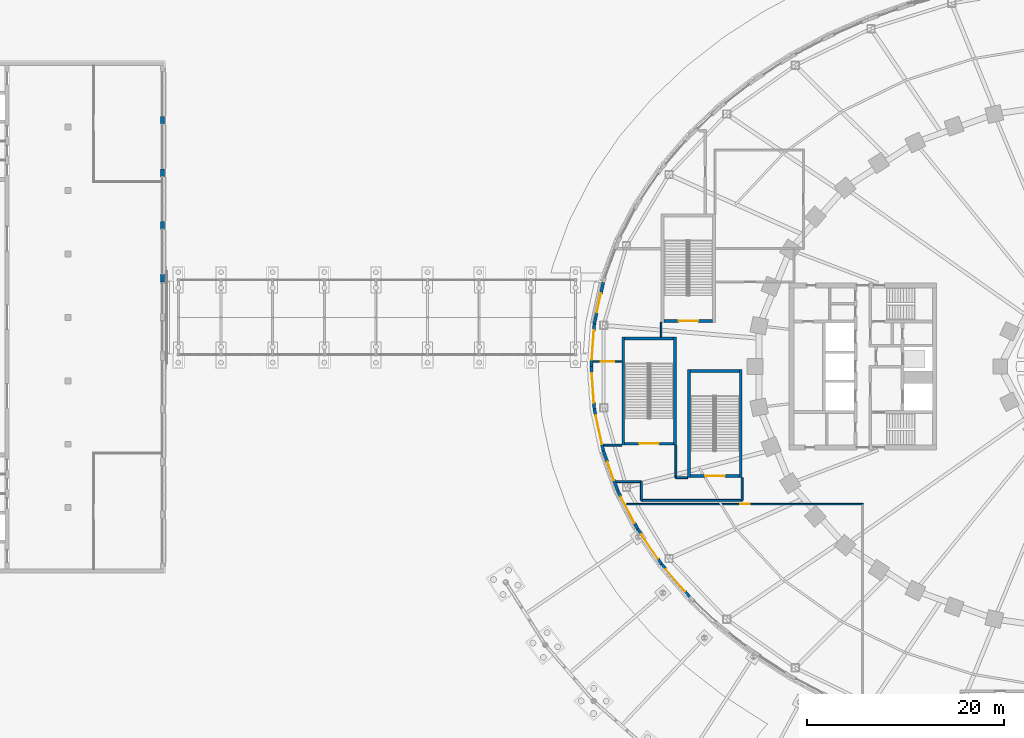
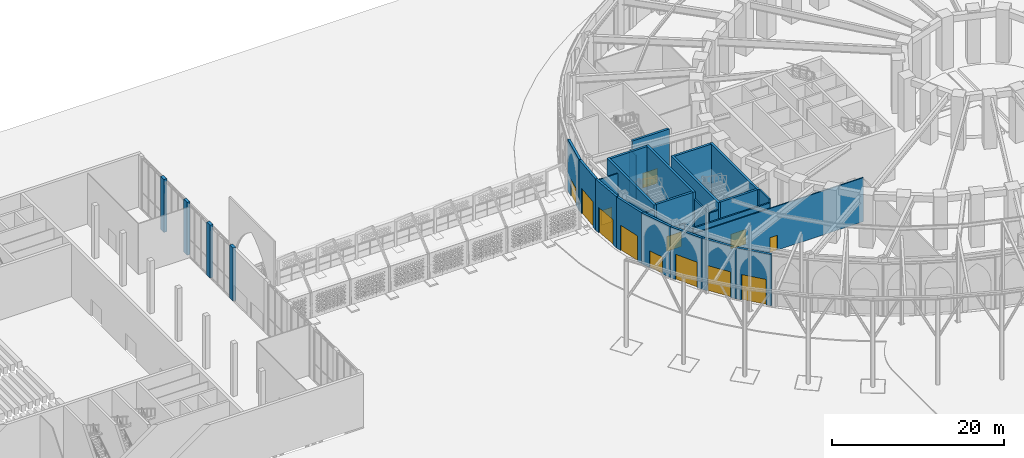
# One storey, part 42 of 79: 31 walls, 7 doors, 6 windows, 13 openings.
"""IFC4 building model written with IfcOpenShell, lengths in metres."""

from ifc_helpers import new_model, si_unit, direction, frame, frame_2d, origin, place, context, subcontext, project, spatial, rectangle, extrude, material, layer, layer_set, type_object, element, fill, save


model = new_model("IFC4")

# Units and contexts
model_context = context("Model", 3, precision=1e-05, world=origin(), true_north=direction((0.0, 1.0)))
body_context = subcontext(model_context, "Body", "Model", "MODEL_VIEW")
ifc_project = project(units=[si_unit("LENGTHUNIT", "METRE"), si_unit("AREAUNIT", "SQUARE_METRE"), si_unit("VOLUMEUNIT", "CUBIC_METRE"), si_unit("PLANEANGLEUNIT", "RADIAN"), si_unit("MASSUNIT", "GRAM", prefix="KILO")], contexts=[model_context])

# Site, building, storey
site_placement = place(None, origin())
site = spatial("IfcSite", under=ifc_project, at=site_placement, CompositionType="ELEMENT")
building_placement = place(site_placement, origin())
building = spatial("IfcBuilding", under=site, at=building_placement, Name="Noorbagh Ring Tower", CompositionType="ELEMENT")
storey_placement = place(building_placement, origin())
storey = spatial("IfcBuildingStorey", under=building, at=storey_placement, Name="L00", CompositionType="ELEMENT", Elevation=0.0)

# Wall, opening, door
ifc_material_1 = material(Name="Blockwork faced with red sandstone", Category="masonry")
ifc_layer_1 = layer(ifc_material_1, 0.300048828125)
ifc_layer_set_1 = layer_set([ifc_layer_1], Name="Blockwork faced with red sandstone")
wall_type_1 = type_object("IfcWallType", Name="GND-ENV-WALL", PredefinedType="SOLIDWALL", material=ifc_layer_set_1)
wall_1_placement = place(storey_placement, frame((-50.3759765625, 8.56787109375, 0.0), z_axis=(0.0, 0.0, 1.0), x_axis=(-0.210616468766, -0.977568771537, 0.0)))
wall_1 = element("IfcWall", 1, at=wall_1_placement, inside=storey, type_object=wall_type_1, Name="Podium wall", PredefinedType="SOLIDWALL", context=body_context, shape_type="SweptSolid", body=[
    extrude(rectangle(XDim=4.3388671875, YDim=0.300048828125, at=frame_2d((2.16943359375, 0.0))), origin(), (0.0, 0.0, 1.0), 7.25),
])
opening_1_placement = place(wall_1_placement, frame((1.16943359375, 0.0, 0.0)))
opening_1 = element("IfcOpeningElement", 2, at=opening_1_placement, cuts=wall_1, Name="Opening GD13", PredefinedType="OPENING", context=body_context, shape_type="SweptSolid", body=[
    extrude(rectangle(XDim=2.0, YDim=2.39990234375, at=frame_2d((1.0, 1.199951171875))), frame((0.0, 0.16015625, 0.0), z_axis=(0.0, -1.0, 0.0), x_axis=(1.0, 0.0, 0.0)), (0.0, 0.0, 1.0), 0.320068359375),
])
ifc_material_2 = material(Name="Aluminium and glass", Category="aluminium")
door_type_1 = type_object("IfcDoorType", Name="GND-DOOR-EXIT", OperationType="DOUBLE_DOOR_SINGLE_SWING", PredefinedType="DOOR", material=ifc_material_2)
door_1_placement = place(opening_1_placement, frame((2.0, 0.0, 0.0), z_axis=(0.0, 0.0, 1.0), x_axis=(-1.0, 0.0, 0.0)))
door_1 = element("IfcDoor", 3, at=door_1_placement, inside=storey, type_object=door_type_1, Name="Exit door FX13", OperationType="DOUBLE_DOOR_SINGLE_SWING", OverallHeight=2.39990234375, OverallWidth=2.0, PredefinedType="DOOR", context=body_context, shape_type="SweptSolid", body=[
    extrude(rectangle(XDim=2.0, YDim=2.39990234375, at=frame_2d((1.0, 1.199951171875))), frame((0.0, 0.025146484375, 0.0), z_axis=(0.0, -1.0, 0.0), x_axis=(1.0, 0.0, 0.0)), (0.0, 0.0, 1.0), 0.050048828125),
])
fill(opening_1, door_1)

# Wall, opening, window
wall_2_placement = place(storey_placement, frame((-51.289794921875, 4.326416015625, 0.0), z_axis=(0.0, 0.0, 1.0), x_axis=(-0.071315050824, -0.997453840298, 0.0)))
wall_2 = element("IfcWall", 4, at=wall_2_placement, inside=storey, type_object=wall_type_1, Name="Podium wall", PredefinedType="SOLIDWALL", context=body_context, shape_type="SweptSolid", body=[
    extrude(rectangle(XDim=4.33740234375, YDim=0.300048828125, at=frame_2d((2.168701171875, 0.0))), origin(), (0.0, 0.0, 1.0), 7.25),
])
opening_2_placement = place(wall_2_placement, frame((0.648681640625, 0.0, 0.0)))
opening_2 = element("IfcOpeningElement", 5, at=opening_2_placement, cuts=wall_2, Name="Opening GWN2", PredefinedType="OPENING", context=body_context, shape_type="SweptSolid", body=[
    extrude(rectangle(XDim=3.0, YDim=3.60009765625, at=frame_2d((1.5, 1.800048828125))), frame((0.0, 0.16015625, 0.0), z_axis=(0.0, -1.0, 0.0), x_axis=(1.0, 0.0, 0.0)), (0.0, 0.0, 1.0), 0.320068359375),
])
ifc_material_3 = material(Name="Aluminium and glass", Category="aluminium")
window_type = type_object("IfcWindowType", Name="GND-ENV-SHOPFRONT", PartitioningType="SINGLE_PANEL", PredefinedType="WINDOW", material=ifc_material_3)
window_1_placement = place(opening_2_placement, origin())
window_1 = element("IfcWindow", 6, at=window_1_placement, inside=storey, type_object=window_type, Name="L00 podium window", OverallHeight=3.60009765625, OverallWidth=3.0, PartitioningType="SINGLE_PANEL", PredefinedType="WINDOW", context=body_context, shape_type="SweptSolid", body=[
    extrude(rectangle(XDim=3.0, YDim=3.60009765625, at=frame_2d((1.5, 1.800048828125))), frame((0.0, 0.030029296875, 0.0), z_axis=(0.0, -1.0, 0.0), x_axis=(1.0, 0.0, 0.0)), (0.0, 0.0, 1.0), 0.06005859375),
])
fill(opening_2, window_1)

wall_3_placement = place(storey_placement, frame((-51.59912109375, 0.0, 0.0), z_axis=(0.0, 0.0, 1.0), x_axis=(0.071315050824, -0.997453840298, 0.0)))
wall_3 = element("IfcWall", 7, at=wall_3_placement, inside=storey, type_object=wall_type_1, Name="Podium wall", PredefinedType="SOLIDWALL", context=body_context, shape_type="SweptSolid", body=[
    extrude(rectangle(XDim=4.33740234375, YDim=0.300048828125, at=frame_2d((2.168701171875, 0.0))), origin(), (0.0, 0.0, 1.0), 7.25),
])
opening_3_placement = place(wall_3_placement, frame((0.668701171875, 0.0, 0.0)))
opening_3 = element("IfcOpeningElement", 8, at=opening_3_placement, cuts=wall_3, Name="Opening GWN2", PredefinedType="OPENING", context=body_context, shape_type="SweptSolid", body=[
    extrude(rectangle(XDim=3.0, YDim=3.60009765625, at=frame_2d((1.5, 1.800048828125))), frame((0.0, 0.16015625, 0.0), z_axis=(0.0, -1.0, 0.0), x_axis=(1.0, 0.0, 0.0)), (0.0, 0.0, 1.0), 0.320068359375),
])
window_2_placement = place(opening_3_placement, origin())
window_2 = element("IfcWindow", 9, at=window_2_placement, inside=storey, type_object=window_type, Name="L00 podium window", OverallHeight=3.60009765625, OverallWidth=3.0, PartitioningType="SINGLE_PANEL", PredefinedType="WINDOW", context=body_context, shape_type="SweptSolid", body=[
    extrude(rectangle(XDim=3.0, YDim=3.60009765625, at=frame_2d((1.5, 1.800048828125))), frame((0.0, 0.030029296875, 0.0), z_axis=(0.0, -1.0, 0.0), x_axis=(1.0, 0.0, 0.0)), (0.0, 0.0, 1.0), 0.06005859375),
])
fill(opening_3, window_2)

wall_4_placement = place(storey_placement, frame((-51.289794921875, -4.326416015625, 0.0), z_axis=(0.0, 0.0, 1.0), x_axis=(0.210616468766, -0.977568771537, 0.0)))
wall_4 = element("IfcWall", 10, at=wall_4_placement, inside=storey, type_object=wall_type_1, Name="Podium wall", PredefinedType="SOLIDWALL", context=body_context, shape_type="SweptSolid", body=[
    extrude(rectangle(XDim=4.3388671875, YDim=0.300048828125, at=frame_2d((2.16943359375, 0.0))), origin(), (0.0, 0.0, 1.0), 7.25),
])
opening_4_placement = place(wall_4_placement, frame((0.66943359375, 0.0, 0.0)))
opening_4 = element("IfcOpeningElement", 11, at=opening_4_placement, cuts=wall_4, Name="Opening GWN2", PredefinedType="OPENING", context=body_context, shape_type="SweptSolid", body=[
    extrude(rectangle(XDim=3.0, YDim=3.60009765625, at=frame_2d((1.5, 1.800048828125))), frame((0.0, 0.16015625, 0.0), z_axis=(0.0, -1.0, 0.0), x_axis=(1.0, 0.0, 0.0)), (0.0, 0.0, 1.0), 0.320068359375),
])
window_3_placement = place(opening_4_placement, origin())
window_3 = element("IfcWindow", 12, at=window_3_placement, inside=storey, type_object=window_type, Name="L00 podium window", OverallHeight=3.60009765625, OverallWidth=3.0, PartitioningType="SINGLE_PANEL", PredefinedType="WINDOW", context=body_context, shape_type="SweptSolid", body=[
    extrude(rectangle(XDim=3.0, YDim=3.60009765625, at=frame_2d((1.5, 1.800048828125))), frame((0.0, 0.030029296875, 0.0), z_axis=(0.0, -1.0, 0.0), x_axis=(1.0, 0.0, 0.0)), (0.0, 0.0, 1.0), 0.06005859375),
])
fill(opening_4, window_3)

# Wall, opening, door
wall_5_placement = place(storey_placement, frame((-50.3759765625, -8.56787109375, 0.0), z_axis=(0.0, 0.0, 1.0), x_axis=(0.341286990045, -0.939959142956, 0.0)))
wall_5 = element("IfcWall", 13, at=wall_5_placement, inside=storey, type_object=wall_type_1, Name="Podium wall", PredefinedType="SOLIDWALL", context=body_context, shape_type="SweptSolid", body=[
    extrude(rectangle(XDim=4.341552734375, YDim=0.300048828125, at=frame_2d((2.1708984375, 0.0))), origin(), (0.0, 0.0, 1.0), 7.25),
])
opening_5_placement = place(wall_5_placement, frame((1.1708984375, 0.0, 0.0)))
opening_5 = element("IfcOpeningElement", 14, at=opening_5_placement, cuts=wall_5, Name="Opening GD13", PredefinedType="OPENING", context=body_context, shape_type="SweptSolid", body=[
    extrude(rectangle(XDim=2.0, YDim=2.39990234375, at=frame_2d((1.0, 1.199951171875))), frame((0.0, 0.16015625, 0.0), z_axis=(0.0, -1.0, 0.0), x_axis=(1.0, 0.0, 0.0)), (0.0, 0.0, 1.0), 0.320068359375),
])
door_2_placement = place(opening_5_placement, frame((2.0, 0.0, 0.0), z_axis=(0.0, 0.0, 1.0), x_axis=(-1.0, 0.0, 0.0)))
door_2 = element("IfcDoor", 15, at=door_2_placement, inside=storey, type_object=door_type_1, Name="Exit door FX14", OperationType="DOUBLE_DOOR_SINGLE_SWING", OverallHeight=2.39990234375, OverallWidth=2.0, PredefinedType="DOOR", context=body_context, shape_type="SweptSolid", body=[
    extrude(rectangle(XDim=2.0, YDim=2.39990234375, at=frame_2d((1.0, 1.199951171875))), frame((0.0, 0.025146484375, 0.0), z_axis=(0.0, -1.0, 0.0), x_axis=(1.0, 0.0, 0.0)), (0.0, 0.0, 1.0), 0.050048828125),
])
fill(opening_5, door_2)

# Wall, opening, window
wall_6_placement = place(storey_placement, frame((-48.894287109375, -12.648681640625, 0.0), z_axis=(0.0, 0.0, 1.0), x_axis=(0.459242531468, -0.888310923771, 0.0)))
wall_6 = element("IfcWall", 16, at=wall_6_placement, inside=storey, type_object=wall_type_1, Name="Podium wall", PredefinedType="SOLIDWALL", context=body_context, shape_type="SweptSolid", body=[
    extrude(rectangle(XDim=4.344970703125, YDim=0.300048828125, at=frame_2d((2.17236328125, 0.0))), origin(), (0.0, 0.0, 1.0), 7.25),
])
opening_6_placement = place(wall_6_placement, frame((0.672607421875, 0.0, 0.0)))
opening_6 = element("IfcOpeningElement", 17, at=opening_6_placement, cuts=wall_6, Name="Opening GWN2", PredefinedType="OPENING", context=body_context, shape_type="SweptSolid", body=[
    extrude(rectangle(XDim=3.0, YDim=3.60009765625, at=frame_2d((1.5, 1.800048828125))), frame((0.0, 0.16015625, 0.0), z_axis=(0.0, -1.0, 0.0), x_axis=(1.0, 0.0, 0.0)), (0.0, 0.0, 1.0), 0.320068359375),
])
window_4_placement = place(opening_6_placement, origin())
window_4 = element("IfcWindow", 18, at=window_4_placement, inside=storey, type_object=window_type, Name="L00 podium window", OverallHeight=3.60009765625, OverallWidth=3.0, PartitioningType="SINGLE_PANEL", PredefinedType="WINDOW", context=body_context, shape_type="SweptSolid", body=[
    extrude(rectangle(XDim=3.0, YDim=3.60009765625, at=frame_2d((1.5, 1.800048828125))), frame((0.0, 0.030029296875, 0.0), z_axis=(0.0, -1.0, 0.0), x_axis=(1.0, 0.0, 0.0)), (0.0, 0.0, 1.0), 0.06005859375),
])
fill(opening_6, window_4)

wall_7_placement = place(storey_placement, frame((-46.89892578125, -16.50830078125, 0.0), z_axis=(0.0, 0.0, 1.0), x_axis=(0.562667738859, -0.82668314102, 0.0)))
wall_7 = element("IfcWall", 19, at=wall_7_placement, inside=storey, type_object=wall_type_1, Name="Podium wall", PredefinedType="SOLIDWALL", context=body_context, shape_type="SweptSolid", body=[
    extrude(rectangle(XDim=4.348876953125, YDim=0.300048828125, at=frame_2d((2.17431640625, 0.0))), origin(), (0.0, 0.0, 1.0), 7.25),
])
opening_7_placement = place(wall_7_placement, frame((0.67431640625, 0.0, 0.0)))
opening_7 = element("IfcOpeningElement", 20, at=opening_7_placement, cuts=wall_7, Name="Opening GWN2", PredefinedType="OPENING", context=body_context, shape_type="SweptSolid", body=[
    extrude(rectangle(XDim=3.0, YDim=3.60009765625, at=frame_2d((1.5, 1.800048828125))), frame((0.0, 0.16015625, 0.0), z_axis=(0.0, -1.0, 0.0), x_axis=(1.0, 0.0, 0.0)), (0.0, 0.0, 1.0), 0.320068359375),
])
window_5_placement = place(opening_7_placement, origin())
window_5 = element("IfcWindow", 21, at=window_5_placement, inside=storey, type_object=window_type, Name="L00 podium window", OverallHeight=3.60009765625, OverallWidth=3.0, PartitioningType="SINGLE_PANEL", PredefinedType="WINDOW", context=body_context, shape_type="SweptSolid", body=[
    extrude(rectangle(XDim=3.0, YDim=3.60009765625, at=frame_2d((1.5, 1.800048828125))), frame((0.0, 0.030029296875, 0.0), z_axis=(0.0, -1.0, 0.0), x_axis=(1.0, 0.0, 0.0)), (0.0, 0.0, 1.0), 0.06005859375),
])
fill(opening_7, window_5)

wall_8_placement = place(storey_placement, frame((-44.451904296875, -20.103515625, 0.0), z_axis=(0.0, 0.0, 1.0), x_axis=(0.651387059497, -0.758745608699, 0.0)))
wall_8 = element("IfcWall", 22, at=wall_8_placement, inside=storey, type_object=wall_type_1, Name="Podium wall", PredefinedType="SOLIDWALL", context=body_context, shape_type="SweptSolid", body=[
    extrude(rectangle(XDim=4.3525390625, YDim=0.300048828125, at=frame_2d((2.17626953125, 0.0))), origin(), (0.0, 0.0, 1.0), 7.25),
])
opening_8_placement = place(wall_8_placement, frame((0.67626953125, 0.0, 0.0)))
opening_8 = element("IfcOpeningElement", 23, at=opening_8_placement, cuts=wall_8, Name="Opening GWN2", PredefinedType="OPENING", context=body_context, shape_type="SweptSolid", body=[
    extrude(rectangle(XDim=3.0, YDim=3.60009765625, at=frame_2d((1.5, 1.800048828125))), frame((0.0, 0.16015625, 0.0), z_axis=(0.0, -1.0, 0.0), x_axis=(1.0, 0.0, 0.0)), (0.0, 0.0, 1.0), 0.320068359375),
])
window_6_placement = place(opening_8_placement, origin())
window_6 = element("IfcWindow", 24, at=window_6_placement, inside=storey, type_object=window_type, Name="L00 podium window", OverallHeight=3.60009765625, OverallWidth=3.0, PartitioningType="SINGLE_PANEL", PredefinedType="WINDOW", context=body_context, shape_type="SweptSolid", body=[
    extrude(rectangle(XDim=3.0, YDim=3.60009765625, at=frame_2d((1.5, 1.800048828125))), frame((0.0, 0.030029296875, 0.0), z_axis=(0.0, -1.0, 0.0), x_axis=(1.0, 0.0, 0.0)), (0.0, 0.0, 1.0), 0.06005859375),
])
fill(opening_8, window_6)

# Walls
ifc_material_4 = material(Name="Reinforced blockwork", Category="masonry")
ifc_layer_2 = layer(ifc_material_4, 0.199951171875)
ifc_layer_set_2 = layer_set([ifc_layer_2], Name="Reinforced blockwork")
wall_type_2 = type_object("IfcWallType", Name="GND-EXIT-PASSAGE-WALL", PredefinedType="PARTITIONING", material=ifc_layer_set_2)
wall_9_placement = place(storey_placement, frame((-46.5, -13.60009765625, 0.0), z_axis=(0.0, 0.0, 1.0), x_axis=(0.0, 1.0, 0.0)))
element("IfcWall", 25, at=wall_9_placement, inside=storey, type_object=wall_type_2, Name="Exit passage wall", PredefinedType="PARTITIONING", context=body_context, shape_type="SweptSolid", body=[
    extrude(rectangle(XDim=1.900146484375, YDim=0.199951171875, at=frame_2d((0.9501953125, 0.0))), origin(), (0.0, 0.0, 1.0), 6.25),
])
wall_10_placement = place(storey_placement, frame((-46.5, -11.699951171875, 0.0), z_axis=(0.0, 0.0, 1.0), x_axis=(-1.0, 0.0, 0.0)))
element("IfcWall", 26, at=wall_10_placement, inside=storey, type_object=wall_type_2, Name="Exit passage wall", PredefinedType="PARTITIONING", context=body_context, shape_type="SweptSolid", body=[
    extrude(rectangle(XDim=2.5791015625, YDim=0.199951171875, at=frame_2d((1.28955078125, 0.0))), origin(), (0.0, 0.0, 1.0), 6.25),
])
wall_11_placement = place(storey_placement, frame((-50.344970703125, -8.0, 0.0), z_axis=(0.0, 0.0, 1.0), x_axis=(1.0, 0.0, 0.0)))
element("IfcWall", 27, at=wall_11_placement, inside=storey, type_object=wall_type_2, Name="Exit passage wall", PredefinedType="PARTITIONING", context=body_context, shape_type="SweptSolid", body=[
    extrude(rectangle(XDim=1.844970703125, YDim=0.199951171875, at=frame_2d((0.92236328125, 0.0))), origin(), (0.0, 0.0, 1.0), 6.64990234375),
])
wall_12_placement = place(storey_placement, frame((-43.0, -8.0, 0.0), z_axis=(0.0, 0.0, 1.0), x_axis=(0.0, -1.0, 0.0)))
element("IfcWall", 28, at=wall_12_placement, inside=storey, type_object=wall_type_2, Name="Exit passage wall", PredefinedType="PARTITIONING", context=body_context, shape_type="SweptSolid", body=[
    extrude(rectangle(XDim=3.300048828125, YDim=0.199951171875, at=frame_2d((1.64990234375, 0.0))), origin(), (0.0, 0.0, 1.0), 6.25),
])
wall_13_placement = place(storey_placement, frame((-43.0, -11.300048828125, 0.0), z_axis=(0.0, 0.0, 1.0), x_axis=(1.0, 0.0, 0.0)))
element("IfcWall", 29, at=wall_13_placement, inside=storey, type_object=wall_type_2, Name="Exit passage wall", PredefinedType="PARTITIONING", context=body_context, shape_type="SweptSolid", body=[
    extrude(rectangle(XDim=1.199951171875, YDim=0.199951171875, at=frame_2d((0.60009765625, 0.0))), origin(), (0.0, 0.0, 1.0), 6.25),
])
wall_14_placement = place(storey_placement, frame((-36.25, -11.300048828125, 0.0), z_axis=(0.0, 0.0, 1.0), x_axis=(0.0, -1.0, 0.0)))
element("IfcWall", 30, at=wall_14_placement, inside=storey, type_object=wall_type_2, Name="Exit passage wall", PredefinedType="PARTITIONING", context=body_context, shape_type="SweptSolid", body=[
    extrude(rectangle(XDim=2.300048828125, YDim=0.199951171875, at=frame_2d((1.14990234375, 0.0))), origin(), (0.0, 0.0, 1.0), 7.25),
])
wall_15_placement = place(storey_placement, frame((-36.25, -13.60009765625, 0.0), z_axis=(0.0, 0.0, 1.0), x_axis=(-1.0, 0.0, 0.0)))
element("IfcWall", 31, at=wall_15_placement, inside=storey, type_object=wall_type_2, Name="Exit passage wall", PredefinedType="PARTITIONING", context=body_context, shape_type="SweptSolid", body=[
    extrude(rectangle(XDim=10.25, YDim=0.199951171875, at=frame_2d((5.125, 0.0))), origin(), (0.0, 0.0, 1.0), 6.75),
])

# Wall, opening, door
ifc_material_5 = material(Name="Gypsum board on steel studs", Category="steel")
ifc_layer_3 = layer(ifc_material_5, 0.14990234375)
ifc_layer_set_3 = layer_set([ifc_layer_3], Name="Gypsum board on steel studs")
wall_type_3 = type_object("IfcWallType", Name="GND-PART-150", PredefinedType="PARTITIONING", material=ifc_layer_set_3)
wall_16_placement = place(storey_placement, frame((-47.996826171875, -14.0, 0.0), z_axis=(0.0, 0.0, 1.0), x_axis=(1.0, 0.0, 0.0)))
wall_16 = element("IfcWall", 32, at=wall_16_placement, inside=storey, type_object=wall_type_3, Name="L00/wall/P004", PredefinedType="PARTITIONING", context=body_context, shape_type="SweptSolid", body=[
    extrude(rectangle(XDim=24.07177734375, YDim=0.14990234375, at=frame_2d((12.035888671875, 0.0))), origin(), (0.0, 0.0, 1.0), 6.25),
])
opening_9_placement = place(wall_16_placement, frame((11.535888671875, 0.0, 0.0)))
opening_9 = element("IfcOpeningElement", 33, at=opening_9_placement, cuts=wall_16, Name="Opening GD6", PredefinedType="OPENING", context=body_context, shape_type="SweptSolid", body=[
    extrude(rectangle(XDim=1.0, YDim=2.10009765625, at=frame_2d((0.5, 1.050048828125))), frame((0.0, 0.0849609375, 0.0), z_axis=(0.0, -1.0, 0.0), x_axis=(1.0, 0.0, 0.0)), (0.0, 0.0, 1.0), 0.169921875),
])
ifc_material_6 = material(Name="Timber", Category="wood")
door_type_2 = type_object("IfcDoorType", Name="GND-DOOR-HALL", OperationType="SINGLE_SWING_LEFT", PredefinedType="DOOR", material=ifc_material_6)
door_3_placement = place(opening_9_placement, origin())
door_3 = element("IfcDoor", 34, at=door_3_placement, inside=storey, type_object=door_type_2, Name="Garden cafe door", OperationType="SINGLE_SWING_RIGHT", OverallHeight=2.10009765625, OverallWidth=1.0, PredefinedType="DOOR", context=body_context, shape_type="SweptSolid", body=[
    extrude(rectangle(XDim=1.0, YDim=2.10009765625, at=frame_2d((0.5, 1.050048828125))), frame((0.0, 0.02490234375, 0.0), z_axis=(0.0, -1.0, 0.0), x_axis=(1.0, 0.0, 0.0)), (0.0, 0.0, 1.0), 0.050048828125),
])
fill(opening_9, door_3)

# Wall
wall_17_placement = place(storey_placement, frame((-44.5, 4.510009765625, 0.0), z_axis=(0.0, 0.0, 1.0), x_axis=(0.0, -1.0, 0.0)))
element("IfcWall", 35, at=wall_17_placement, inside=storey, type_object=wall_type_3, Name="L00/wall/P011", PredefinedType="PARTITIONING", context=body_context, shape_type="SweptSolid", body=[
    extrude(rectangle(XDim=1.510009765625, YDim=0.14990234375, at=frame_2d((0.7548828125, 0.0))), origin(), (0.0, 0.0, 1.0), 6.25),
])

# Wall, opening, door
wall_18_placement = place(storey_placement, frame((-48.5, 0.5, 0.0), z_axis=(0.0, 0.0, 1.0), x_axis=(-1.0, 0.0, 0.0)))
wall_18 = element("IfcWall", 36, at=wall_18_placement, inside=storey, type_object=wall_type_3, Name="L00/wall/P012", PredefinedType="PARTITIONING", context=body_context, shape_type="SweptSolid", body=[
    extrude(rectangle(XDim=2.912841796875, YDim=0.14990234375, at=frame_2d((1.45654296875, 0.0))), origin(), (0.0, 0.0, 1.0), 6.64990234375),
])
opening_10_placement = place(wall_18_placement, frame((0.756591796875, 0.0, 0.0)))
opening_10 = element("IfcOpeningElement", 37, at=opening_10_placement, cuts=wall_18, Name="Opening GD8", PredefinedType="OPENING", context=body_context, shape_type="SweptSolid", body=[
    extrude(rectangle(XDim=1.39990234375, YDim=2.10009765625, at=frame_2d((0.699951171875, 1.050048828125))), frame((0.0, 0.0849609375, 0.0), z_axis=(0.0, -1.0, 0.0), x_axis=(1.0, 0.0, 0.0)), (0.0, 0.0, 1.0), 0.169921875),
])
ifc_material_7 = material(Name="Timber and glass", Category="wood")
door_type_3 = type_object("IfcDoorType", Name="GND-DOOR-HALL-14", OperationType="DOUBLE_DOOR_SINGLE_SWING", PredefinedType="DOOR", material=ifc_material_7)
door_4_placement = place(opening_10_placement, origin())
door_4 = element("IfcDoor", 38, at=door_4_placement, inside=storey, type_object=door_type_3, Name="Arcade vestibule door", OperationType="DOUBLE_DOOR_SINGLE_SWING", OverallHeight=2.10009765625, OverallWidth=1.39990234375, PredefinedType="DOOR", context=body_context, shape_type="SweptSolid", body=[
    extrude(rectangle(XDim=1.39990234375, YDim=2.10009765625, at=frame_2d((0.699951171875, 1.050048828125))), frame((0.0, 0.02490234375, 0.0), z_axis=(0.0, -1.0, 0.0), x_axis=(1.0, 0.0, 0.0)), (0.0, 0.0, 1.0), 0.050048828125),
])
fill(opening_10, door_4)

# Walls
ifc_material_8 = material(Name="Concrete C60/75", Category="concrete")
ifc_layer_4 = layer(ifc_material_8, 0.300048828125)
ifc_layer_set_4 = layer_set([ifc_layer_4], Name="Concrete C60/75")
wall_type_4 = type_object("IfcWallType", Name="GND-STAIR-WALL", PredefinedType="SHEAR", material=ifc_layer_set_4)
for number, where, z_axis, x_axis, name in (
    (39, (-41.64990234375, -11.300048828125, 0.0), (0.0, 0.0, 1.0), (0.0, 1.0, 0.0), "Exit stair ST-P1 wall"),
    (40, (-36.39990234375, -11.300048828125, 0.0), (0.0, 0.0, 1.0), (0.0, 1.0, 0.0), "Exit stair ST-P1 wall"),
):
    element("IfcWall", number, at=place(storey_placement, frame(where, z_axis=z_axis, x_axis=x_axis)), inside=storey, type_object=wall_type_4, Name=name, PredefinedType="SHEAR", context=body_context, shape_type="SweptSolid", body=[
        extrude(rectangle(XDim=11.0, YDim=0.300048828125, at=frame_2d((5.5, 0.0))), origin(), (0.0, 0.0, 1.0), 7.25),
    ])

# Wall, opening, door
wall_19_placement = place(storey_placement, frame((-41.5, -11.14990234375, 0.0), z_axis=(0.0, 0.0, 1.0), x_axis=(1.0, 0.0, 0.0)))
wall_19 = element("IfcWall", 41, at=wall_19_placement, inside=storey, type_object=wall_type_4, Name="Exit stair ST-P1 wall", PredefinedType="SHEAR", context=body_context, shape_type="SweptSolid", body=[
    extrude(rectangle(XDim=4.949951171875, YDim=0.300048828125, at=frame_2d((2.47509765625, 0.0))), origin(), (0.0, 0.0, 1.0), 7.25),
])
opening_11_placement = place(wall_19_placement, frame((1.47509765625, 0.0, 0.0)))
opening_11 = element("IfcOpeningElement", 42, at=opening_11_placement, cuts=wall_19, Name="Opening GD17", PredefinedType="OPENING", context=body_context, shape_type="SweptSolid", body=[
    extrude(rectangle(XDim=2.0, YDim=2.10009765625, at=frame_2d((1.0, 1.050048828125))), frame((0.0, 0.16015625, 0.0), z_axis=(0.0, -1.0, 0.0), x_axis=(1.0, 0.0, 0.0)), (0.0, 0.0, 1.0), 0.320068359375),
])
ifc_material_9 = material(Name="Steel", Category="steel")
door_type_4 = type_object("IfcDoorType", Name="GND-STAIR-DOOR", OperationType="DOUBLE_DOOR_SINGLE_SWING", PredefinedType="DOOR", material=ifc_material_9)
door_5_placement = place(opening_11_placement, origin())
door_5 = element("IfcDoor", 43, at=door_5_placement, inside=storey, type_object=door_type_4, Name="Exit stair ST-P1 door", OperationType="DOUBLE_DOOR_SINGLE_SWING", OverallHeight=2.10009765625, OverallWidth=2.0, PredefinedType="DOOR", context=body_context, shape_type="SweptSolid", body=[
    extrude(rectangle(XDim=2.0, YDim=2.10009765625, at=frame_2d((1.0, 1.050048828125))), frame((0.0, 0.02490234375, 0.0), z_axis=(0.0, -1.0, 0.0), x_axis=(1.0, 0.0, 0.0)), (0.0, 0.0, 1.0), 0.050048828125),
])
fill(opening_11, door_5)

# Walls
wall_20_placement = place(storey_placement, frame((-41.5, -0.449951171875, 0.0), z_axis=(0.0, 0.0, 1.0), x_axis=(1.0, 0.0, 0.0)))
element("IfcWall", 44, at=wall_20_placement, inside=storey, type_object=wall_type_4, Name="Exit stair ST-P1 wall", PredefinedType="SHEAR", context=body_context, shape_type="SweptSolid", body=[
    extrude(rectangle(XDim=4.949951171875, YDim=0.300048828125, at=frame_2d((2.47509765625, 0.0))), origin(), (0.0, 0.0, 1.0), 7.25),
])
for number, where, z_axis, x_axis, name in (
    (45, (-48.35009765625, -8.0, 0.0), (0.0, 0.0, 1.0), (0.0, 1.0, 0.0), "Exit stair ST-P3 wall"),
    (46, (-43.10009765625, -8.0, 0.0), (0.0, 0.0, 1.0), (0.0, 1.0, 0.0), "Exit stair ST-P3 wall"),
):
    element("IfcWall", number, at=place(storey_placement, frame(where, z_axis=z_axis, x_axis=x_axis)), inside=storey, type_object=wall_type_4, Name=name, PredefinedType="SHEAR", context=body_context, shape_type="SweptSolid", body=[
        extrude(rectangle(XDim=11.0, YDim=0.300048828125, at=frame_2d((5.5, 0.0))), origin(), (0.0, 0.0, 1.0), 7.25),
    ])

# Wall, opening, door
wall_21_placement = place(storey_placement, frame((-48.199951171875, -7.85009765625, 0.0), z_axis=(0.0, 0.0, 1.0), x_axis=(1.0, 0.0, 0.0)))
wall_21 = element("IfcWall", 47, at=wall_21_placement, inside=storey, type_object=wall_type_4, Name="Exit stair ST-P3 wall", PredefinedType="SHEAR", context=body_context, shape_type="SweptSolid", body=[
    extrude(rectangle(XDim=4.949951171875, YDim=0.300048828125, at=frame_2d((2.47509765625, 0.0))), origin(), (0.0, 0.0, 1.0), 7.25),
])
opening_12_placement = place(wall_21_placement, frame((1.47509765625, 0.0, 0.0)))
opening_12 = element("IfcOpeningElement", 48, at=opening_12_placement, cuts=wall_21, Name="Opening GD17", PredefinedType="OPENING", context=body_context, shape_type="SweptSolid", body=[
    extrude(rectangle(XDim=2.0, YDim=2.10009765625, at=frame_2d((1.0, 1.050048828125))), frame((0.0, 0.16015625, 0.0), z_axis=(0.0, -1.0, 0.0), x_axis=(1.0, 0.0, 0.0)), (0.0, 0.0, 1.0), 0.320068359375),
])
door_6_placement = place(opening_12_placement, origin())
door_6 = element("IfcDoor", 49, at=door_6_placement, inside=storey, type_object=door_type_4, Name="Exit stair ST-P3 door", OperationType="DOUBLE_DOOR_SINGLE_SWING", OverallHeight=2.10009765625, OverallWidth=2.0, PredefinedType="DOOR", context=body_context, shape_type="SweptSolid", body=[
    extrude(rectangle(XDim=2.0, YDim=2.10009765625, at=frame_2d((1.0, 1.050048828125))), frame((0.0, 0.02490234375, 0.0), z_axis=(0.0, -1.0, 0.0), x_axis=(1.0, 0.0, 0.0)), (0.0, 0.0, 1.0), 0.050048828125),
])
fill(opening_12, door_6)

# Wall
wall_22_placement = place(storey_placement, frame((-48.199951171875, 2.85009765625, 0.0), z_axis=(0.0, 0.0, 1.0), x_axis=(1.0, 0.0, 0.0)))
element("IfcWall", 50, at=wall_22_placement, inside=storey, type_object=wall_type_4, Name="Exit stair ST-P3 wall", PredefinedType="SHEAR", context=body_context, shape_type="SweptSolid", body=[
    extrude(rectangle(XDim=4.949951171875, YDim=0.300048828125, at=frame_2d((2.47509765625, 0.0))), origin(), (0.0, 0.0, 1.0), 7.25),
])

# Wall, opening, door
wall_23_placement = place(storey_placement, frame((-44.199951171875, 4.64990234375, 0.0), z_axis=(0.0, 0.0, 1.0), x_axis=(1.0, 0.0, 0.0)))
wall_23 = element("IfcWall", 51, at=wall_23_placement, inside=storey, type_object=wall_type_4, Name="Exit stair ST-P7 wall", PredefinedType="SHEAR", context=body_context, shape_type="SweptSolid", body=[
    extrude(rectangle(XDim=4.949951171875, YDim=0.300048828125, at=frame_2d((2.47509765625, 0.0))), origin(), (0.0, 0.0, 1.0), 7.25),
])
opening_13_placement = place(wall_23_placement, frame((1.47509765625, 0.0, 0.0)))
opening_13 = element("IfcOpeningElement", 52, at=opening_13_placement, cuts=wall_23, Name="Opening GD17", PredefinedType="OPENING", context=body_context, shape_type="SweptSolid", body=[
    extrude(rectangle(XDim=2.0, YDim=2.10009765625, at=frame_2d((1.0, 1.050048828125))), frame((0.0, 0.16015625, 0.0), z_axis=(0.0, -1.0, 0.0), x_axis=(1.0, 0.0, 0.0)), (0.0, 0.0, 1.0), 0.320068359375),
])
door_7_placement = place(opening_13_placement, origin())
door_7 = element("IfcDoor", 53, at=door_7_placement, inside=storey, type_object=door_type_4, Name="Exit stair ST-P7 door", OperationType="DOUBLE_DOOR_SINGLE_SWING", OverallHeight=2.10009765625, OverallWidth=2.0, PredefinedType="DOOR", context=body_context, shape_type="SweptSolid", body=[
    extrude(rectangle(XDim=2.0, YDim=2.10009765625, at=frame_2d((1.0, 1.050048828125))), frame((0.0, 0.02490234375, 0.0), z_axis=(0.0, -1.0, 0.0), x_axis=(1.0, 0.0, 0.0)), (0.0, 0.0, 1.0), 0.050048828125),
])
fill(opening_13, door_7)

# Walls
ifc_material_10 = material(Name="Concrete C40/50", Category="concrete")
ifc_layer_5 = layer(ifc_material_10, 0.39990234375)
ifc_layer_set_5 = layer_set([ifc_layer_5], Name="Concrete C40/50")
wall_type_5 = type_object("IfcWallType", Name="TH-WALL-OUTER", PredefinedType="SOLIDWALL", material=ifc_layer_set_5)
wall_24_placement = place(storey_placement, frame((-95.199951171875, 8.60009765625, 0.0), z_axis=(0.0, 0.0, 1.0), x_axis=(0.0, 1.0, 0.0)))
element("IfcWall", 54, at=wall_24_placement, inside=storey, type_object=wall_type_5, Name="Foyer pier", PredefinedType="SOLIDWALL", context=body_context, shape_type="SweptSolid", body=[
    extrude(rectangle(XDim=0.7998046875, YDim=0.39990234375, at=frame_2d((0.39990234375, 0.0))), origin(), (0.0, 0.0, 1.0), 7.5),
])
for number, where, z_axis, x_axis, name in (
    (55, (-95.199951171875, 13.949951171875, 0.0), (0.0, 0.0, 1.0), (0.0, 1.0, 0.0), "Foyer pier"),
    (56, (-95.199951171875, 19.300048828125, 0.0), (0.0, 0.0, 1.0), (0.0, 1.0, 0.0), "Foyer pier"),
    (57, (-95.199951171875, 24.64990234375, 0.0), (0.0, 0.0, 1.0), (0.0, 1.0, 0.0), "Foyer pier"),
):
    element("IfcWall", number, at=place(storey_placement, frame(where, z_axis=z_axis, x_axis=x_axis)), inside=storey, type_object=wall_type_5, Name=name, PredefinedType="SOLIDWALL", context=body_context, shape_type="SweptSolid", body=[
        extrude(rectangle(XDim=0.800048828125, YDim=0.39990234375, at=frame_2d((0.39990234375, 0.0))), origin(), (0.0, 0.0, 1.0), 7.5),
    ])

save(model, "model.ifc")
